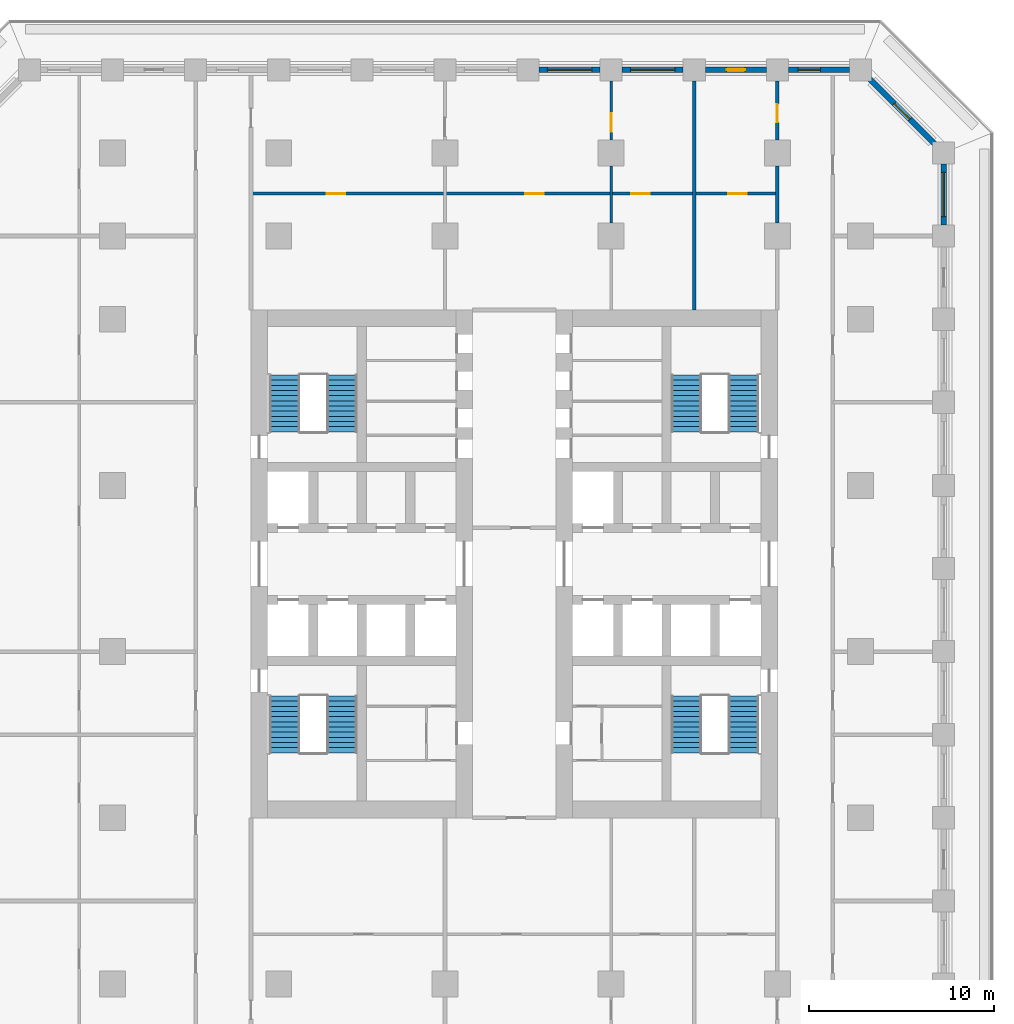
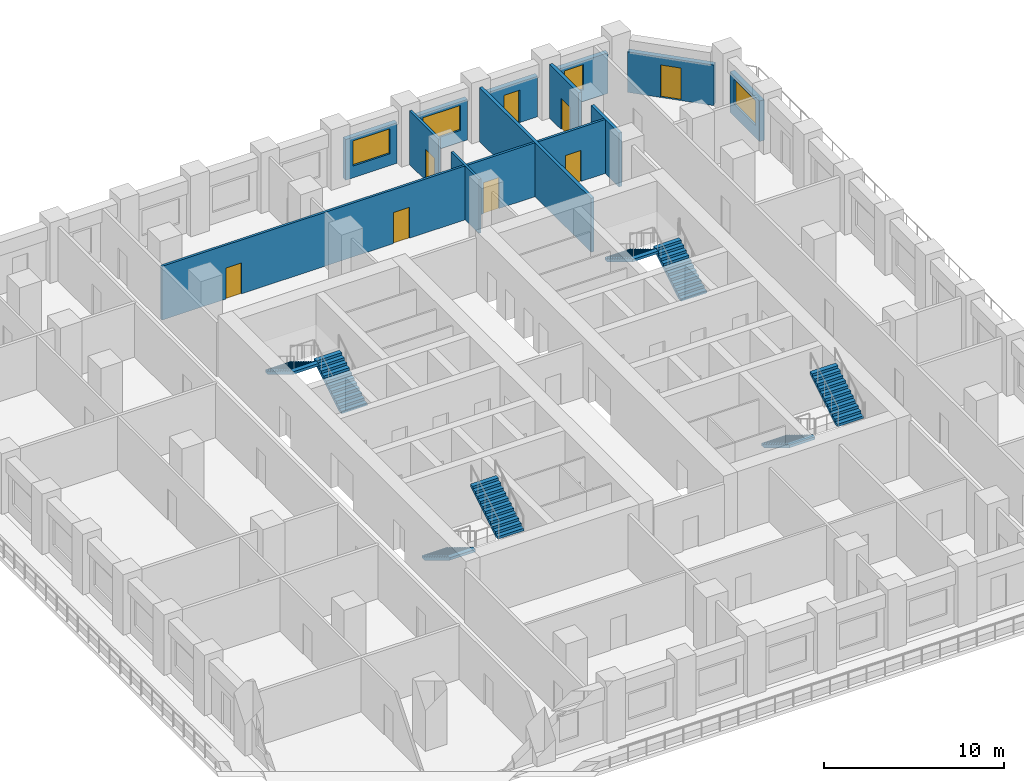
# One storey, part 8 of 16: 12 walls, 8 doors, 8 stair flights, 4 windows, 12 openings, 4 elements without a shape of their own.
"""IFC4 building model written with IfcOpenShell, lengths in metres."""

from ifc_helpers import new_model, si_unit, direction, frame, frame_2d, origin, place, context, subcontext, project, spatial, polyline, rectangle, outline, extrude, material, layer, layer_set, type_object, element, fill, aggregate, save


model = new_model("IFC4")

# Units and contexts
model_context = context("Model", 3, precision=1e-05, world=origin(), true_north=direction((0.0, 1.0)))
body_context = subcontext(model_context, "Body", "Model", "MODEL_VIEW")
ifc_project = project(units=[si_unit("LENGTHUNIT", "METRE"), si_unit("AREAUNIT", "SQUARE_METRE"), si_unit("VOLUMEUNIT", "CUBIC_METRE"), si_unit("PLANEANGLEUNIT", "RADIAN"), si_unit("MASSUNIT", "GRAM", prefix="KILO")], contexts=[model_context])

# Site, building, storey
site_placement = place(None, origin())
site = spatial("IfcSite", under=ifc_project, at=site_placement, CompositionType="ELEMENT")
building_placement = place(site_placement, origin())
building = spatial("IfcBuilding", under=site, at=building_placement, Name="Corbel Stack Research Tower", CompositionType="ELEMENT")
storey_placement = place(building_placement, frame((0.0, 0.0, 120.800048828125)))
storey = spatial("IfcBuildingStorey", under=building, at=storey_placement, Name="L27", CompositionType="ELEMENT", Elevation=120.800048828125)

# Wall, opening, door
ifc_material_1 = material(Name="Fire-rated gypsum board partition on steel studs", Category="steel")
ifc_layer_1 = layer(ifc_material_1, 0.14990234375)
ifc_layer_set_1 = layer_set([ifc_layer_1], Name="Fire-rated gypsum board partition on steel studs")
wall_type_1 = type_object("IfcWallType", Name="Fire-rated partition 150 EI 60", PredefinedType="PARTITIONING", material=ifc_layer_set_1)
wall_1_placement = place(storey_placement, frame((9.0, 30.89990234375, 0.0), z_axis=(0.0, 0.0, 1.0), x_axis=(0.0, -1.0, 0.0)))
wall_1 = element("IfcWall", 1, at=wall_1_placement, inside=storey, type_object=wall_type_1, Name="Partition L27-014", PredefinedType="PARTITIONING", context=body_context, shape_type="SweptSolid", body=[
    extrude(rectangle(XDim=3.199951171875, YDim=0.14990234375, at=frame_2d((1.60009765625, 0.0))), origin(), (0.0, 0.0, 1.0), 3.64990234375),
])
opening_1_placement = place(wall_1_placement, frame((1.75, 0.0, 0.0)))
opening_1 = element("IfcOpeningElement", 2, at=opening_1_placement, cuts=wall_1, Name="Opening B4V0-023", PredefinedType="OPENING", context=body_context, shape_type="SweptSolid", body=[
    extrude(rectangle(XDim=1.0, YDim=2.10009765625, at=frame_2d((0.5, 1.050048828125))), frame((0.0, 0.0849609375, 0.0), z_axis=(0.0, -1.0, 0.0), x_axis=(1.0, 0.0, 0.0)), (0.0, 0.0, 1.0), 0.169921875),
])
ifc_material_2 = material(Name="Painted steel fire door", Category="steel")
door_type_1 = type_object("IfcDoorType", Name="Fire door FD30S 1000 x 2100", OperationType="NOTDEFINED", PredefinedType="DOOR", material=ifc_material_2)
door_1_placement = place(opening_1_placement, origin())
door_1 = element("IfcDoor", 3, at=door_1_placement, inside=storey, type_object=door_type_1, Name="Door B4V0-023", OperationType="SINGLE_SWING_RIGHT", OverallHeight=2.10009765625, OverallWidth=1.0, PredefinedType="DOOR", context=body_context, shape_type="SweptSolid", body=[
    extrude(rectangle(XDim=1.0, YDim=2.10009765625, at=frame_2d((0.5, 1.050048828125))), frame((0.0, 0.02490234375, 0.0), z_axis=(0.0, -1.0, 0.0), x_axis=(1.0, 0.0, 0.0)), (0.0, 0.0, 1.0), 0.050048828125),
])
fill(opening_1, door_1)

# Walls
ifc_material_3 = material(Name="Fire-rated gypsum board partition on steel studs", Category="steel")
ifc_layer_2 = layer(ifc_material_3, 0.199951171875)
ifc_layer_set_2 = layer_set([ifc_layer_2], Name="Fire-rated gypsum board partition on steel studs")
wall_type_2 = type_object("IfcWallType", Name="Fire-rated partition 200 EI 60", PredefinedType="PARTITIONING", material=ifc_layer_set_2)
wall_2_placement = place(storey_placement, frame((13.5, 18.5, 0.0), z_axis=(0.0, 0.0, 1.0), x_axis=(0.0, 1.0, 0.0)))
element("IfcWall", 4, at=wall_2_placement, inside=storey, type_object=wall_type_2, Name="Partition L27-016", PredefinedType="PARTITIONING", context=body_context, shape_type="SweptSolid", body=[
    extrude(rectangle(XDim=12.39990234375, YDim=0.199951171875, at=frame_2d((6.199951171875, 0.0))), origin(), (0.0, 0.0, 1.0), 3.64990234375),
])
wall_3_placement = place(storey_placement, frame((18.0, 23.199951171875, 0.0), z_axis=(0.0, 0.0, 1.0), x_axis=(0.0, 1.0, 0.0)))
element("IfcWall", 5, at=wall_3_placement, inside=storey, type_object=wall_type_2, Name="Partition L27-020", PredefinedType="PARTITIONING", context=body_context, shape_type="SweptSolid", body=[
    extrude(rectangle(XDim=3.10009765625, YDim=0.199951171875, at=frame_2d((1.550048828125, 0.0))), origin(), (0.0, 0.0, 1.0), 3.64990234375),
])

# Wall, opening, door
wall_4_placement = place(storey_placement, frame((18.0, 27.699951171875, 0.0), z_axis=(0.0, 0.0, 1.0), x_axis=(0.0, 1.0, 0.0)))
wall_4 = element("IfcWall", 6, at=wall_4_placement, inside=storey, type_object=wall_type_2, Name="Partition L27-021", PredefinedType="PARTITIONING", context=body_context, shape_type="SweptSolid", body=[
    extrude(rectangle(XDim=3.199951171875, YDim=0.199951171875, at=frame_2d((1.60009765625, 0.0))), origin(), (0.0, 0.0, 1.0), 3.64990234375),
])
opening_2_placement = place(wall_4_placement, frame((0.949951171875, 0.0, 0.0)))
opening_2 = element("IfcOpeningElement", 7, at=opening_2_placement, cuts=wall_4, Name="Opening B4V0-025", PredefinedType="OPENING", context=body_context, shape_type="SweptSolid", body=[
    extrude(rectangle(XDim=1.0, YDim=2.10009765625, at=frame_2d((0.5, 1.050048828125))), frame((0.0, 0.10986328125, 0.0), z_axis=(0.0, -1.0, 0.0), x_axis=(1.0, 0.0, 0.0)), (0.0, 0.0, 1.0), 0.219970703125),
])
door_2_placement = place(opening_2_placement, origin())
door_2 = element("IfcDoor", 8, at=door_2_placement, inside=storey, type_object=door_type_1, Name="Door B4V0-025", OperationType="SINGLE_SWING_LEFT", OverallHeight=2.10009765625, OverallWidth=1.0, PredefinedType="DOOR", context=body_context, shape_type="SweptSolid", body=[
    extrude(rectangle(XDim=1.0, YDim=2.10009765625, at=frame_2d((0.5, 1.050048828125))), frame((0.0, 0.02490234375, 0.0), z_axis=(0.0, -1.0, 0.0), x_axis=(1.0, 0.0, 0.0)), (0.0, 0.0, 1.0), 0.050048828125),
])
fill(opening_2, door_2)

# Wall
ifc_material_4 = material(Name="Gypsum board partition on steel studs", Category="steel")
ifc_layer_3 = layer(ifc_material_4, 0.14990234375)
ifc_layer_set_3 = layer_set([ifc_layer_3], Name="Gypsum board partition on steel studs")
wall_type_3 = type_object("IfcWallType", Name="Partition 150", PredefinedType="PARTITIONING", material=ifc_layer_set_3)
wall_5_placement = place(storey_placement, frame((9.0, 23.199951171875, 0.0), z_axis=(0.0, 0.0, 1.0), x_axis=(0.0, 1.0, 0.0)))
element("IfcWall", 9, at=wall_5_placement, inside=storey, type_object=wall_type_3, Name="Partition L27-013", PredefinedType="PARTITIONING", context=body_context, shape_type="SweptSolid", body=[
    extrude(rectangle(XDim=3.10009765625, YDim=0.14990234375, at=frame_2d((1.550048828125, 0.0))), origin(), (0.0, 0.0, 1.0), 3.64990234375),
])

# Wall, openings, doors
wall_6_placement = place(storey_placement, frame((18.0, 24.800048828125, 0.0), z_axis=(0.0, 0.0, 1.0), x_axis=(-1.0, 0.0, 0.0)))
wall_6 = element("IfcWall", 10, at=wall_6_placement, inside=storey, type_object=wall_type_3, Name="Partition L27-041", PredefinedType="PARTITIONING", context=body_context, shape_type="SweptSolid", body=[
    extrude(rectangle(XDim=28.5, YDim=0.14990234375, at=frame_2d((14.25, 0.0))), origin(), (0.0, 0.0, 1.0), 3.64990234375),
])
opening_3_placement = place(wall_6_placement, frame((23.39990234375, 0.0, 0.0)))
opening_3 = element("IfcOpeningElement", 11, at=opening_3_placement, cuts=wall_6, Name="Opening B4V0-032", PredefinedType="OPENING", context=body_context, shape_type="SweptSolid", body=[
    extrude(rectangle(XDim=1.0, YDim=2.10009765625, at=frame_2d((0.5, 1.050048828125))), frame((0.0, 0.0849609375, 0.0), z_axis=(0.0, -1.0, 0.0), x_axis=(1.0, 0.0, 0.0)), (0.0, 0.0, 1.0), 0.169921875),
])
opening_4_placement = place(wall_6_placement, frame((12.64990234375, 0.0, 0.0)))
opening_4 = element("IfcOpeningElement", 12, at=opening_4_placement, cuts=wall_6, Name="Opening B4V0-033", PredefinedType="OPENING", context=body_context, shape_type="SweptSolid", body=[
    extrude(rectangle(XDim=1.0, YDim=2.10009765625, at=frame_2d((0.5, 1.050048828125))), frame((0.0, 0.0849609375, 0.0), z_axis=(0.0, -1.0, 0.0), x_axis=(1.0, 0.0, 0.0)), (0.0, 0.0, 1.0), 0.169921875),
])
opening_5_placement = place(wall_6_placement, frame((6.89990234375, 0.0, 0.0)))
opening_5 = element("IfcOpeningElement", 13, at=opening_5_placement, cuts=wall_6, Name="Opening B4V0-034", PredefinedType="OPENING", context=body_context, shape_type="SweptSolid", body=[
    extrude(rectangle(XDim=1.0, YDim=2.10009765625, at=frame_2d((0.5, 1.050048828125))), frame((0.0, 0.0849609375, 0.0), z_axis=(0.0, -1.0, 0.0), x_axis=(1.0, 0.0, 0.0)), (0.0, 0.0, 1.0), 0.169921875),
])
opening_6_placement = place(wall_6_placement, frame((1.64990234375, 0.0, 0.0)))
opening_6 = element("IfcOpeningElement", 14, at=opening_6_placement, cuts=wall_6, Name="Opening B4V0-035", PredefinedType="OPENING", context=body_context, shape_type="SweptSolid", body=[
    extrude(rectangle(XDim=1.0, YDim=2.10009765625, at=frame_2d((0.5, 1.050048828125))), frame((0.0, 0.0849609375, 0.0), z_axis=(0.0, -1.0, 0.0), x_axis=(1.0, 0.0, 0.0)), (0.0, 0.0, 1.0), 0.169921875),
])
ifc_material_5 = material(Name="Painted timber door", Category="wood")
door_type_2 = type_object("IfcDoorType", Name="Single door 1000 x 2100", OperationType="NOTDEFINED", PredefinedType="DOOR", material=ifc_material_5)
door_3_placement = place(opening_3_placement, origin())
door_3 = element("IfcDoor", 15, at=door_3_placement, inside=storey, type_object=door_type_2, Name="Door B4V0-032", OperationType="SINGLE_SWING_RIGHT", OverallHeight=2.10009765625, OverallWidth=1.0, PredefinedType="DOOR", context=body_context, shape_type="SweptSolid", body=[
    extrude(rectangle(XDim=1.0, YDim=2.10009765625, at=frame_2d((0.5, 1.050048828125))), frame((0.0, 0.02490234375, 0.0), z_axis=(0.0, -1.0, 0.0), x_axis=(1.0, 0.0, 0.0)), (0.0, 0.0, 1.0), 0.050048828125),
])
fill(opening_3, door_3)
door_4_placement = place(opening_4_placement, origin())
door_4 = element("IfcDoor", 16, at=door_4_placement, inside=storey, type_object=door_type_2, Name="Door B4V0-033", OperationType="SINGLE_SWING_LEFT", OverallHeight=2.10009765625, OverallWidth=1.0, PredefinedType="DOOR", context=body_context, shape_type="SweptSolid", body=[
    extrude(rectangle(XDim=1.0, YDim=2.10009765625, at=frame_2d((0.5, 1.050048828125))), frame((0.0, 0.02490234375, 0.0), z_axis=(0.0, -1.0, 0.0), x_axis=(1.0, 0.0, 0.0)), (0.0, 0.0, 1.0), 0.050048828125),
])
fill(opening_4, door_4)
door_5_placement = place(opening_5_placement, origin())
door_5 = element("IfcDoor", 17, at=door_5_placement, inside=storey, type_object=door_type_2, Name="Door B4V0-034", OperationType="SINGLE_SWING_LEFT", OverallHeight=2.10009765625, OverallWidth=1.0, PredefinedType="DOOR", context=body_context, shape_type="SweptSolid", body=[
    extrude(rectangle(XDim=1.0, YDim=2.10009765625, at=frame_2d((0.5, 1.050048828125))), frame((0.0, 0.02490234375, 0.0), z_axis=(0.0, -1.0, 0.0), x_axis=(1.0, 0.0, 0.0)), (0.0, 0.0, 1.0), 0.050048828125),
])
fill(opening_5, door_5)
door_6_placement = place(opening_6_placement, origin())
door_6 = element("IfcDoor", 18, at=door_6_placement, inside=storey, type_object=door_type_2, Name="Door B4V0-035", OperationType="SINGLE_SWING_LEFT", OverallHeight=2.10009765625, OverallWidth=1.0, PredefinedType="DOOR", context=body_context, shape_type="SweptSolid", body=[
    extrude(rectangle(XDim=1.0, YDim=2.10009765625, at=frame_2d((0.5, 1.050048828125))), frame((0.0, 0.02490234375, 0.0), z_axis=(0.0, -1.0, 0.0), x_axis=(1.0, 0.0, 0.0)), (0.0, 0.0, 1.0), 0.050048828125),
])
fill(opening_6, door_6)

# Wall, opening, window
ifc_material_6 = material(Name="Concrete C45/55", Category="concrete")
ifc_layer_4 = layer(ifc_material_6, 0.300048828125)
ifc_layer_set_4 = layer_set([ifc_layer_4], Name="Concrete C45/55")
wall_type_4 = type_object("IfcWallType", Name="Terracotta-faced concrete wall 300", PredefinedType="SOLIDWALL", material=ifc_layer_set_4)
wall_7_placement = place(storey_placement, frame((27.0, 26.39990234375, 0.0), z_axis=(0.0, 0.0, 1.0), x_axis=(0.0, -1.0, 0.0)))
wall_7 = element("IfcWall", 19, at=wall_7_placement, inside=storey, type_object=wall_type_4, Name="Facade wall L27 E10", PredefinedType="SOLIDWALL", context=body_context, shape_type="SweptSolid", body=[
    extrude(rectangle(XDim=3.2998046875, YDim=0.300048828125, at=frame_2d((1.64990234375, 0.0))), origin(), (0.0, 0.0, 1.0), 2.75),
])
opening_7_placement = place(wall_7_placement, frame((0.449951171875, 0.0, 0.800048828125)))
opening_7 = element("IfcOpeningElement", 20, at=opening_7_placement, cuts=wall_7, Name="Opening W1", PredefinedType="OPENING", context=body_context, shape_type="SweptSolid", body=[
    extrude(rectangle(XDim=2.39990234375, YDim=1.699951171875, at=frame_2d((1.199951171875, 0.85009765625))), frame((0.0, 0.159912109375, 0.0), z_axis=(0.0, -1.0, 0.0), x_axis=(1.0, 0.0, 0.0)), (0.0, 0.0, 1.0), 0.320068359375),
])
ifc_material_7 = material(Name="Aluminium frame, clear double glazing", Category="aluminium")
window_type_1 = type_object("IfcWindowType", Name="Window W1 2400 x 1700", PartitioningType="SINGLE_PANEL", PredefinedType="WINDOW", material=ifc_material_7)
window_1_placement = place(opening_7_placement, origin())
window_1 = element("IfcWindow", 21, at=window_1_placement, inside=storey, type_object=window_type_1, Name="Window W1 L27 E10", OverallHeight=1.699951171875, OverallWidth=2.39990234375, PartitioningType="SINGLE_PANEL", PredefinedType="WINDOW", context=body_context, shape_type="SweptSolid", body=[
    extrude(rectangle(XDim=2.39990234375, YDim=1.699951171875, at=frame_2d((1.199951171875, 0.85009765625))), frame((0.0, 0.030029296875, 0.0), z_axis=(0.0, -1.0, 0.0), x_axis=(1.0, 0.0, 0.0)), (0.0, 0.0, 1.0), 0.06005859375),
])
fill(opening_7, window_1)

# Wall, opening, door
wall_8_placement = place(storey_placement, frame((22.993896484375, 31.006103515625, 0.0), z_axis=(0.0, 0.0, 1.0), x_axis=(0.707106781187, -0.707106781187, 0.0)))
wall_8 = element("IfcWall", 22, at=wall_8_placement, inside=storey, type_object=wall_type_4, Name="Facade wall L27 NE01", PredefinedType="SOLIDWALL", context=body_context, shape_type="SweptSolid", body=[
    extrude(rectangle(XDim=4.967041015625, YDim=0.300048828125, at=frame_2d((2.4833984375, 0.0))), origin(), (0.0, 0.0, 1.0), 2.75),
])
opening_8_placement = place(wall_8_placement, frame((1.883544921875, 0.0, 0.0)))
opening_8 = element("IfcOpeningElement", 23, at=opening_8_placement, cuts=wall_8, Name="Opening L27-B06", PredefinedType="OPENING", context=body_context, shape_type="SweptSolid", body=[
    extrude(rectangle(XDim=1.199951171875, YDim=2.199951171875, at=frame_2d((0.60009765625, 1.10009765625))), frame((0.0, 0.159912109375, 0.0), z_axis=(0.0, -1.0, 0.0), x_axis=(1.0, 0.0, 0.0)), (0.0, 0.0, 1.0), 0.320068359375),
])
ifc_material_8 = material(Name="Aluminium frame, clear double glazing", Category="aluminium")
door_type_3 = type_object("IfcDoorType", Name="Balcony door BD2 1200 x 2200", OperationType="NOTDEFINED", PredefinedType="DOOR", material=ifc_material_8)
door_7_placement = place(opening_8_placement, origin())
door_7 = element("IfcDoor", 24, at=door_7_placement, inside=storey, type_object=door_type_3, Name="Balcony door L27-B06", OperationType="SINGLE_SWING_RIGHT", OverallHeight=2.199951171875, OverallWidth=1.199951171875, PredefinedType="DOOR", context=body_context, shape_type="SweptSolid", body=[
    extrude(rectangle(XDim=1.199951171875, YDim=2.199951171875, at=frame_2d((0.60009765625, 1.10009765625))), frame((0.0, 0.02490234375, 0.0), z_axis=(0.0, -1.0, 0.0), x_axis=(1.0, 0.0, 0.0)), (0.0, 0.0, 1.0), 0.050048828125),
])
fill(opening_8, door_7)

# Wall, opening, window
wall_9_placement = place(storey_placement, frame((18.60009765625, 31.5, 0.0), z_axis=(0.0, 0.0, 1.0), x_axis=(1.0, 0.0, 0.0)))
wall_9 = element("IfcWall", 25, at=wall_9_placement, inside=storey, type_object=wall_type_4, Name="Facade wall L27 N01", PredefinedType="SOLIDWALL", context=body_context, shape_type="SweptSolid", body=[
    extrude(rectangle(XDim=3.2998046875, YDim=0.300048828125, at=frame_2d((1.64990234375, 0.0))), origin(), (0.0, 0.0, 1.0), 2.75),
])
opening_9_placement = place(wall_9_placement, frame((0.52490234375, 0.0, 0.800048828125)))
opening_9 = element("IfcOpeningElement", 26, at=opening_9_placement, cuts=wall_9, Name="Opening W2", PredefinedType="OPENING", context=body_context, shape_type="SweptSolid", body=[
    extrude(rectangle(XDim=1.199951171875, YDim=1.699951171875, at=frame_2d((0.60009765625, 0.85009765625))), frame((0.0, 0.159912109375, 0.0), z_axis=(0.0, -1.0, 0.0), x_axis=(1.0, 0.0, 0.0)), (0.0, 0.0, 1.0), 0.320068359375),
])
ifc_material_9 = material(Name="Aluminium frame, clear double glazing", Category="aluminium")
window_type_2 = type_object("IfcWindowType", Name="Window W2 1200 x 1700", PartitioningType="SINGLE_PANEL", PredefinedType="WINDOW", material=ifc_material_9)
window_2_placement = place(opening_9_placement, origin())
window_2 = element("IfcWindow", 27, at=window_2_placement, inside=storey, type_object=window_type_2, Name="Window W2 L27 N01", OverallHeight=1.699951171875, OverallWidth=1.199951171875, PartitioningType="SINGLE_PANEL", PredefinedType="WINDOW", context=body_context, shape_type="SweptSolid", body=[
    extrude(rectangle(XDim=1.199951171875, YDim=1.699951171875, at=frame_2d((0.60009765625, 0.85009765625))), frame((0.0, 0.030029296875, 0.0), z_axis=(0.0, -1.0, 0.0), x_axis=(1.0, 0.0, 0.0)), (0.0, 0.0, 1.0), 0.06005859375),
])
fill(opening_9, window_2)

# Wall, opening, door
wall_10_placement = place(storey_placement, frame((14.10009765625, 31.5, 0.0), z_axis=(0.0, 0.0, 1.0), x_axis=(1.0, 0.0, 0.0)))
wall_10 = element("IfcWall", 28, at=wall_10_placement, inside=storey, type_object=wall_type_4, Name="Facade wall L27 N02", PredefinedType="SOLIDWALL", context=body_context, shape_type="SweptSolid", body=[
    extrude(rectangle(XDim=3.2998046875, YDim=0.300048828125, at=frame_2d((1.64990234375, 0.0))), origin(), (0.0, 0.0, 1.0), 2.75),
])
opening_10_placement = place(wall_10_placement, frame((1.14990234375, 0.0, 0.0)))
opening_10 = element("IfcOpeningElement", 29, at=opening_10_placement, cuts=wall_10, Name="Opening L27-B07", PredefinedType="OPENING", context=body_context, shape_type="SweptSolid", body=[
    extrude(rectangle(XDim=1.0, YDim=2.199951171875, at=frame_2d((0.5, 1.10009765625))), frame((0.0, 0.159912109375, 0.0), z_axis=(0.0, -1.0, 0.0), x_axis=(1.0, 0.0, 0.0)), (0.0, 0.0, 1.0), 0.320068359375),
])
ifc_material_10 = material(Name="Aluminium frame, clear double glazing", Category="aluminium")
door_type_4 = type_object("IfcDoorType", Name="Balcony door BD1 1000 x 2200", OperationType="NOTDEFINED", PredefinedType="DOOR", material=ifc_material_10)
door_8_placement = place(opening_10_placement, origin())
door_8 = element("IfcDoor", 30, at=door_8_placement, inside=storey, type_object=door_type_4, Name="Balcony door L27-B07", OperationType="SINGLE_SWING_LEFT", OverallHeight=2.199951171875, OverallWidth=1.0, PredefinedType="DOOR", context=body_context, shape_type="SweptSolid", body=[
    extrude(rectangle(XDim=1.0, YDim=2.199951171875, at=frame_2d((0.5, 1.10009765625))), frame((0.0, 0.02490234375, 0.0), z_axis=(0.0, -1.0, 0.0), x_axis=(1.0, 0.0, 0.0)), (0.0, 0.0, 1.0), 0.050048828125),
])
fill(opening_10, door_8)

# Wall, opening, window
wall_11_placement = place(storey_placement, frame((9.60009765625, 31.5, 0.0), z_axis=(0.0, 0.0, 1.0), x_axis=(1.0, 0.0, 0.0)))
wall_11 = element("IfcWall", 31, at=wall_11_placement, inside=storey, type_object=wall_type_4, Name="Facade wall L27 N03", PredefinedType="SOLIDWALL", context=body_context, shape_type="SweptSolid", body=[
    extrude(rectangle(XDim=3.2998046875, YDim=0.300048828125, at=frame_2d((1.64990234375, 0.0))), origin(), (0.0, 0.0, 1.0), 2.75),
])
opening_11_placement = place(wall_11_placement, frame((0.449951171875, 0.0, 0.800048828125)))
opening_11 = element("IfcOpeningElement", 32, at=opening_11_placement, cuts=wall_11, Name="Opening W1", PredefinedType="OPENING", context=body_context, shape_type="SweptSolid", body=[
    extrude(rectangle(XDim=2.39990234375, YDim=1.699951171875, at=frame_2d((1.199951171875, 0.85009765625))), frame((0.0, 0.159912109375, 0.0), z_axis=(0.0, -1.0, 0.0), x_axis=(1.0, 0.0, 0.0)), (0.0, 0.0, 1.0), 0.320068359375),
])
window_3_placement = place(opening_11_placement, origin())
window_3 = element("IfcWindow", 33, at=window_3_placement, inside=storey, type_object=window_type_1, Name="Window W1 L27 N03", OverallHeight=1.699951171875, OverallWidth=2.39990234375, PartitioningType="SINGLE_PANEL", PredefinedType="WINDOW", context=body_context, shape_type="SweptSolid", body=[
    extrude(rectangle(XDim=2.39990234375, YDim=1.699951171875, at=frame_2d((1.199951171875, 0.85009765625))), frame((0.0, 0.030029296875, 0.0), z_axis=(0.0, -1.0, 0.0), x_axis=(1.0, 0.0, 0.0)), (0.0, 0.0, 1.0), 0.06005859375),
])
fill(opening_11, window_3)

wall_12_placement = place(storey_placement, frame((5.10009765625, 31.5, 0.0), z_axis=(0.0, 0.0, 1.0), x_axis=(1.0, 0.0, 0.0)))
wall_12 = element("IfcWall", 34, at=wall_12_placement, inside=storey, type_object=wall_type_4, Name="Facade wall L27 N04", PredefinedType="SOLIDWALL", context=body_context, shape_type="SweptSolid", body=[
    extrude(rectangle(XDim=3.2998046875, YDim=0.300048828125, at=frame_2d((1.64990234375, 0.0))), origin(), (0.0, 0.0, 1.0), 2.75),
])
opening_12_placement = place(wall_12_placement, frame((0.449951171875, 0.0, 0.800048828125)))
opening_12 = element("IfcOpeningElement", 35, at=opening_12_placement, cuts=wall_12, Name="Opening W1", PredefinedType="OPENING", context=body_context, shape_type="SweptSolid", body=[
    extrude(rectangle(XDim=2.39990234375, YDim=1.699951171875, at=frame_2d((1.199951171875, 0.85009765625))), frame((0.0, 0.159912109375, 0.0), z_axis=(0.0, -1.0, 0.0), x_axis=(1.0, 0.0, 0.0)), (0.0, 0.0, 1.0), 0.320068359375),
])
window_4_placement = place(opening_12_placement, origin())
window_4 = element("IfcWindow", 36, at=window_4_placement, inside=storey, type_object=window_type_1, Name="Window W1 L27 N04", OverallHeight=1.699951171875, OverallWidth=2.39990234375, PartitioningType="SINGLE_PANEL", PredefinedType="WINDOW", context=body_context, shape_type="SweptSolid", body=[
    extrude(rectangle(XDim=2.39990234375, YDim=1.699951171875, at=frame_2d((1.199951171875, 0.85009765625))), frame((0.0, 0.030029296875, 0.0), z_axis=(0.0, -1.0, 0.0), x_axis=(1.0, 0.0, 0.0)), (0.0, 0.0, 1.0), 0.06005859375),
])
fill(opening_12, window_4)

# Stair, stair flights
ifc_material_11 = material(Name="Concrete C40/50", Category="concrete")
stair_type = type_object("IfcStairType", Name="Exit stair 24 risers", PredefinedType="HALF_TURN_STAIR", material=ifc_material_11)
stair_1_placement = place(storey_placement, origin())
stair_1 = element("IfcStair", 37, at=stair_1_placement, inside=storey, type_object=stair_type, Name="L27 Exit stair ST-W1", PredefinedType="HALF_TURN_STAIR")
ifc_material_12 = material(Name="Concrete C40/50", Category="concrete")
stair_flight_type = type_object("IfcStairFlightType", Name="Stair flight 12 risers", PredefinedType="STRAIGHT", material=ifc_material_12)
stair_flight_1_placement = place(storey_placement, frame((-8.675048828125, -2.39990234375, 0.0), z_axis=(0.0, 0.0, 1.0), x_axis=(0.0, -1.0, 0.0)))
stair_flight_1 = element("IfcStairFlight", 38, at=stair_flight_1_placement, type_object=stair_flight_type, Name="ST-W1 flight 1", NumberOfRisers=12, NumberOfTreads=11, PredefinedType="STRAIGHT", RiserHeight=0.170833333, TreadLength=0.28, context=body_context, shape_type="SweptSolid", body=[
    extrude(outline(polyline([(0.0, 0.0), (0.0, 0.1708984375), (0.280029296875, 0.1708984375), (0.280029296875, 0.341552734375), (0.56005859375, 0.341552734375), (0.56005859375, 0.512451171875), (0.840087890625, 0.512451171875), (0.840087890625, 0.683349609375), (1.1201171875, 0.683349609375), (1.1201171875, 0.854248046875), (1.39990234375, 0.854248046875), (1.39990234375, 1.02490234375), (1.679931640625, 1.02490234375), (1.679931640625, 1.19580078125), (1.9599609375, 1.19580078125), (1.9599609375, 1.36669921875), (2.239990234375, 1.36669921875), (2.239990234375, 1.53759765625), (2.52001953125, 1.53759765625), (2.52001953125, 1.708251953125), (2.800048828125, 1.708251953125), (2.800048828125, 1.879150390625), (3.080078125, 1.879150390625), (3.080078125, 2.050048828125), (3.080078125, 1.70361328125), (0.287841796875, 0.0), (0.0, 0.0)])), frame((0.0, 0.824951171875, 0.0), z_axis=(0.0, -1.0, 0.0), x_axis=(1.0, 0.0, 0.0)), (0.0, 0.0, 1.0), 1.64990234375),
])
stair_flight_2_placement = place(storey_placement, frame((-5.574951171875, -5.47998046875, 2.050048828125), z_axis=(0.0, 0.0, 1.0), x_axis=(0.0, 1.0, 0.0)))
stair_flight_2 = element("IfcStairFlight", 39, at=stair_flight_2_placement, type_object=stair_flight_type, Name="ST-W1 flight 2", NumberOfRisers=12, NumberOfTreads=11, PredefinedType="STRAIGHT", RiserHeight=0.170833333, TreadLength=0.28, context=body_context, shape_type="SweptSolid", body=[
    extrude(outline(polyline([(0.0, 0.0), (0.0, 0.1708984375), (0.280029296875, 0.1708984375), (0.280029296875, 0.341552734375), (0.56005859375, 0.341552734375), (0.56005859375, 0.512451171875), (0.840087890625, 0.512451171875), (0.840087890625, 0.683349609375), (1.1201171875, 0.683349609375), (1.1201171875, 0.854248046875), (1.39990234375, 0.854248046875), (1.39990234375, 1.02490234375), (1.679931640625, 1.02490234375), (1.679931640625, 1.19580078125), (1.9599609375, 1.19580078125), (1.9599609375, 1.36669921875), (2.239990234375, 1.36669921875), (2.239990234375, 1.53759765625), (2.52001953125, 1.53759765625), (2.52001953125, 1.708251953125), (2.800048828125, 1.708251953125), (2.800048828125, 1.879150390625), (3.080078125, 1.879150390625), (3.080078125, 2.050048828125), (3.080078125, 1.70361328125), (0.287841796875, 0.0), (0.0, 0.0)])), frame((0.0, 0.824951171875, 0.0), z_axis=(0.0, -1.0, 0.0), x_axis=(1.0, 0.0, 0.0)), (0.0, 0.0, 1.0), 1.64990234375),
])
aggregate(stair_1, [stair_flight_1, stair_flight_2])

stair_2_placement = place(storey_placement, origin())
stair_2 = element("IfcStair", 40, at=stair_2_placement, inside=storey, type_object=stair_type, Name="L27 Exit stair ST-W2", PredefinedType="HALF_TURN_STAIR")
stair_flight_3_placement = place(storey_placement, frame((-5.574951171875, 11.89990234375, 0.0), z_axis=(0.0, 0.0, 1.0), x_axis=(0.0, 1.0, 0.0)))
stair_flight_3 = element("IfcStairFlight", 41, at=stair_flight_3_placement, type_object=stair_flight_type, Name="ST-W2 flight 1", NumberOfRisers=12, NumberOfTreads=11, PredefinedType="STRAIGHT", RiserHeight=0.170833333, TreadLength=0.28, context=body_context, shape_type="SweptSolid", body=[
    extrude(outline(polyline([(0.0, 0.0), (0.0, 0.1708984375), (0.280029296875, 0.1708984375), (0.280029296875, 0.341552734375), (0.56005859375, 0.341552734375), (0.56005859375, 0.512451171875), (0.840087890625, 0.512451171875), (0.840087890625, 0.683349609375), (1.1201171875, 0.683349609375), (1.1201171875, 0.854248046875), (1.39990234375, 0.854248046875), (1.39990234375, 1.02490234375), (1.679931640625, 1.02490234375), (1.679931640625, 1.19580078125), (1.9599609375, 1.19580078125), (1.9599609375, 1.36669921875), (2.239990234375, 1.36669921875), (2.239990234375, 1.53759765625), (2.52001953125, 1.53759765625), (2.52001953125, 1.708251953125), (2.800048828125, 1.708251953125), (2.800048828125, 1.879150390625), (3.080078125, 1.879150390625), (3.080078125, 2.050048828125), (3.080078125, 1.70361328125), (0.287841796875, 0.0), (0.0, 0.0)])), frame((0.0, 0.824951171875, 0.0), z_axis=(0.0, -1.0, 0.0), x_axis=(1.0, 0.0, 0.0)), (0.0, 0.0, 1.0), 1.64990234375),
])
stair_flight_4_placement = place(storey_placement, frame((-8.675048828125, 14.97998046875, 2.050048828125), z_axis=(0.0, 0.0, 1.0), x_axis=(0.0, -1.0, 0.0)))
stair_flight_4 = element("IfcStairFlight", 42, at=stair_flight_4_placement, type_object=stair_flight_type, Name="ST-W2 flight 2", NumberOfRisers=12, NumberOfTreads=11, PredefinedType="STRAIGHT", RiserHeight=0.170833333, TreadLength=0.28, context=body_context, shape_type="SweptSolid", body=[
    extrude(outline(polyline([(0.0, 0.0), (0.0, 0.1708984375), (0.280029296875, 0.1708984375), (0.280029296875, 0.341552734375), (0.56005859375, 0.341552734375), (0.56005859375, 0.512451171875), (0.840087890625, 0.512451171875), (0.840087890625, 0.683349609375), (1.1201171875, 0.683349609375), (1.1201171875, 0.854248046875), (1.39990234375, 0.854248046875), (1.39990234375, 1.02490234375), (1.679931640625, 1.02490234375), (1.679931640625, 1.19580078125), (1.9599609375, 1.19580078125), (1.9599609375, 1.36669921875), (2.239990234375, 1.36669921875), (2.239990234375, 1.53759765625), (2.52001953125, 1.53759765625), (2.52001953125, 1.708251953125), (2.800048828125, 1.708251953125), (2.800048828125, 1.879150390625), (3.080078125, 1.879150390625), (3.080078125, 2.050048828125), (3.080078125, 1.70361328125), (0.287841796875, 0.0), (0.0, 0.0)])), frame((0.0, 0.824951171875, 0.0), z_axis=(0.0, -1.0, 0.0), x_axis=(1.0, 0.0, 0.0)), (0.0, 0.0, 1.0), 1.64990234375),
])
aggregate(stair_2, [stair_flight_3, stair_flight_4])

stair_3_placement = place(storey_placement, origin())
stair_3 = element("IfcStair", 43, at=stair_3_placement, inside=storey, type_object=stair_type, Name="L27 Exit stair ST-E1", PredefinedType="HALF_TURN_STAIR")
stair_flight_5_placement = place(storey_placement, frame((13.074951171875, -2.39990234375, 0.0), z_axis=(0.0, 0.0, 1.0), x_axis=(0.0, -1.0, 0.0)))
stair_flight_5 = element("IfcStairFlight", 44, at=stair_flight_5_placement, type_object=stair_flight_type, Name="ST-E1 flight 1", NumberOfRisers=12, NumberOfTreads=11, PredefinedType="STRAIGHT", RiserHeight=0.170833333, TreadLength=0.28, context=body_context, shape_type="SweptSolid", body=[
    extrude(outline(polyline([(0.0, 0.0), (0.0, 0.1708984375), (0.280029296875, 0.1708984375), (0.280029296875, 0.341552734375), (0.56005859375, 0.341552734375), (0.56005859375, 0.512451171875), (0.840087890625, 0.512451171875), (0.840087890625, 0.683349609375), (1.1201171875, 0.683349609375), (1.1201171875, 0.854248046875), (1.39990234375, 0.854248046875), (1.39990234375, 1.02490234375), (1.679931640625, 1.02490234375), (1.679931640625, 1.19580078125), (1.9599609375, 1.19580078125), (1.9599609375, 1.36669921875), (2.239990234375, 1.36669921875), (2.239990234375, 1.53759765625), (2.52001953125, 1.53759765625), (2.52001953125, 1.708251953125), (2.800048828125, 1.708251953125), (2.800048828125, 1.879150390625), (3.080078125, 1.879150390625), (3.080078125, 2.050048828125), (3.080078125, 1.70361328125), (0.287841796875, 0.0), (0.0, 0.0)])), frame((0.0, 0.824951171875, 0.0), z_axis=(0.0, -1.0, 0.0), x_axis=(1.0, 0.0, 0.0)), (0.0, 0.0, 1.0), 1.64990234375),
])
stair_flight_6_placement = place(storey_placement, frame((16.175048828125, -5.47998046875, 2.050048828125), z_axis=(0.0, 0.0, 1.0), x_axis=(0.0, 1.0, 0.0)))
stair_flight_6 = element("IfcStairFlight", 45, at=stair_flight_6_placement, type_object=stair_flight_type, Name="ST-E1 flight 2", NumberOfRisers=12, NumberOfTreads=11, PredefinedType="STRAIGHT", RiserHeight=0.170833333, TreadLength=0.28, context=body_context, shape_type="SweptSolid", body=[
    extrude(outline(polyline([(0.0, 0.0), (0.0, 0.1708984375), (0.280029296875, 0.1708984375), (0.280029296875, 0.341552734375), (0.56005859375, 0.341552734375), (0.56005859375, 0.512451171875), (0.840087890625, 0.512451171875), (0.840087890625, 0.683349609375), (1.1201171875, 0.683349609375), (1.1201171875, 0.854248046875), (1.39990234375, 0.854248046875), (1.39990234375, 1.02490234375), (1.679931640625, 1.02490234375), (1.679931640625, 1.19580078125), (1.9599609375, 1.19580078125), (1.9599609375, 1.36669921875), (2.239990234375, 1.36669921875), (2.239990234375, 1.53759765625), (2.52001953125, 1.53759765625), (2.52001953125, 1.708251953125), (2.800048828125, 1.708251953125), (2.800048828125, 1.879150390625), (3.080078125, 1.879150390625), (3.080078125, 2.050048828125), (3.080078125, 1.70361328125), (0.287841796875, 0.0), (0.0, 0.0)])), frame((0.0, 0.824951171875, 0.0), z_axis=(0.0, -1.0, 0.0), x_axis=(1.0, 0.0, 0.0)), (0.0, 0.0, 1.0), 1.64990234375),
])
aggregate(stair_3, [stair_flight_5, stair_flight_6])

stair_4_placement = place(storey_placement, origin())
stair_4 = element("IfcStair", 46, at=stair_4_placement, inside=storey, type_object=stair_type, Name="L27 Exit stair ST-E2", PredefinedType="HALF_TURN_STAIR")
stair_flight_7_placement = place(storey_placement, frame((16.175048828125, 11.89990234375, 0.0), z_axis=(0.0, 0.0, 1.0), x_axis=(0.0, 1.0, 0.0)))
stair_flight_7 = element("IfcStairFlight", 47, at=stair_flight_7_placement, type_object=stair_flight_type, Name="ST-E2 flight 1", NumberOfRisers=12, NumberOfTreads=11, PredefinedType="STRAIGHT", RiserHeight=0.170833333, TreadLength=0.28, context=body_context, shape_type="SweptSolid", body=[
    extrude(outline(polyline([(0.0, 0.0), (0.0, 0.1708984375), (0.280029296875, 0.1708984375), (0.280029296875, 0.341552734375), (0.56005859375, 0.341552734375), (0.56005859375, 0.512451171875), (0.840087890625, 0.512451171875), (0.840087890625, 0.683349609375), (1.1201171875, 0.683349609375), (1.1201171875, 0.854248046875), (1.39990234375, 0.854248046875), (1.39990234375, 1.02490234375), (1.679931640625, 1.02490234375), (1.679931640625, 1.19580078125), (1.9599609375, 1.19580078125), (1.9599609375, 1.36669921875), (2.239990234375, 1.36669921875), (2.239990234375, 1.53759765625), (2.52001953125, 1.53759765625), (2.52001953125, 1.708251953125), (2.800048828125, 1.708251953125), (2.800048828125, 1.879150390625), (3.080078125, 1.879150390625), (3.080078125, 2.050048828125), (3.080078125, 1.70361328125), (0.287841796875, 0.0), (0.0, 0.0)])), frame((0.0, 0.824951171875, 0.0), z_axis=(0.0, -1.0, 0.0), x_axis=(1.0, 0.0, 0.0)), (0.0, 0.0, 1.0), 1.64990234375),
])
stair_flight_8_placement = place(storey_placement, frame((13.074951171875, 14.97998046875, 2.050048828125), z_axis=(0.0, 0.0, 1.0), x_axis=(0.0, -1.0, 0.0)))
stair_flight_8 = element("IfcStairFlight", 48, at=stair_flight_8_placement, type_object=stair_flight_type, Name="ST-E2 flight 2", NumberOfRisers=12, NumberOfTreads=11, PredefinedType="STRAIGHT", RiserHeight=0.170833333, TreadLength=0.28, context=body_context, shape_type="SweptSolid", body=[
    extrude(outline(polyline([(0.0, 0.0), (0.0, 0.1708984375), (0.280029296875, 0.1708984375), (0.280029296875, 0.341552734375), (0.56005859375, 0.341552734375), (0.56005859375, 0.512451171875), (0.840087890625, 0.512451171875), (0.840087890625, 0.683349609375), (1.1201171875, 0.683349609375), (1.1201171875, 0.854248046875), (1.39990234375, 0.854248046875), (1.39990234375, 1.02490234375), (1.679931640625, 1.02490234375), (1.679931640625, 1.19580078125), (1.9599609375, 1.19580078125), (1.9599609375, 1.36669921875), (2.239990234375, 1.36669921875), (2.239990234375, 1.53759765625), (2.52001953125, 1.53759765625), (2.52001953125, 1.708251953125), (2.800048828125, 1.708251953125), (2.800048828125, 1.879150390625), (3.080078125, 1.879150390625), (3.080078125, 2.050048828125), (3.080078125, 1.70361328125), (0.287841796875, 0.0), (0.0, 0.0)])), frame((0.0, 0.824951171875, 0.0), z_axis=(0.0, -1.0, 0.0), x_axis=(1.0, 0.0, 0.0)), (0.0, 0.0, 1.0), 1.64990234375),
])
aggregate(stair_4, [stair_flight_7, stair_flight_8])

save(model, "model.ifc")
